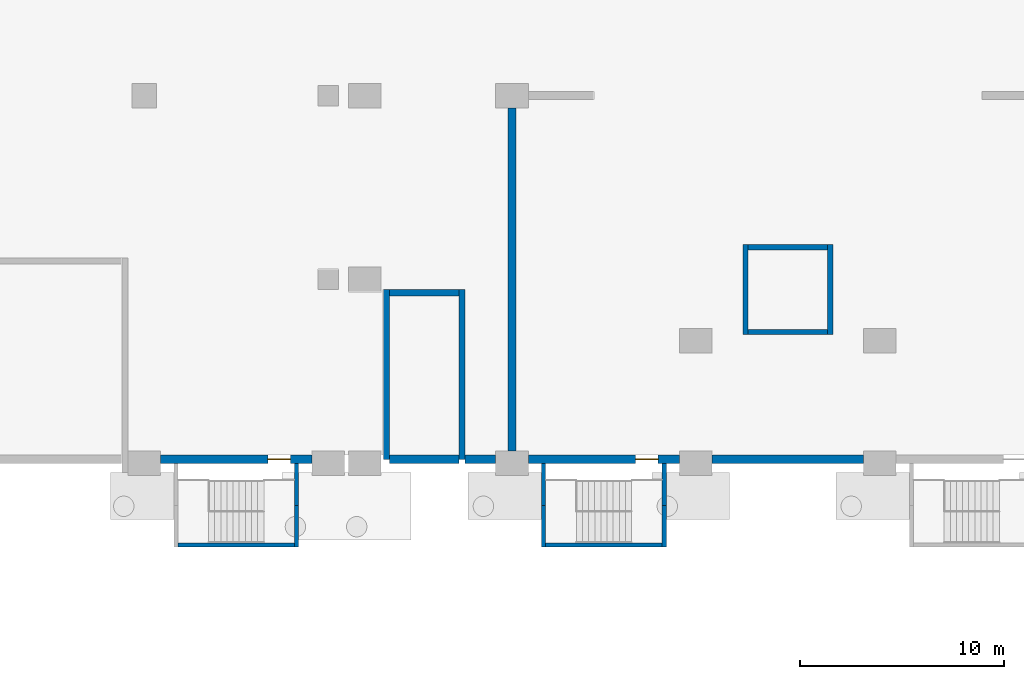
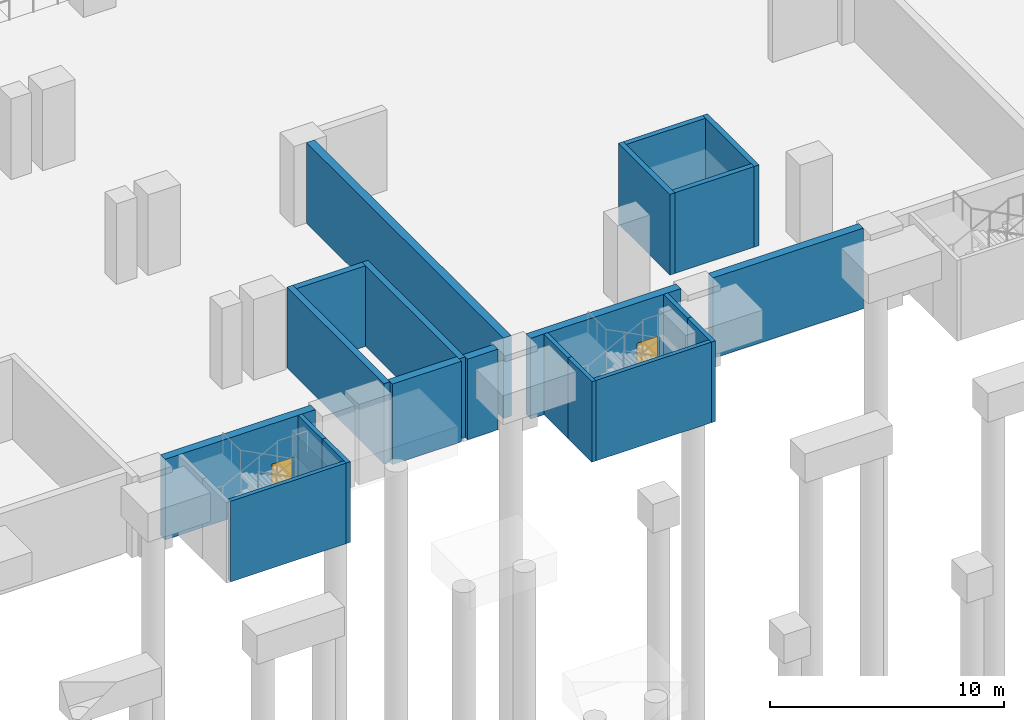
# One storey, part 12 of 27: 21 walls, 2 doors, 2 openings.
"""IFC4 building model written with IfcOpenShell, lengths in metres."""

import ifcopenshell
import ifcopenshell.guid

model = None  # the IFC model being written
_history = None  # IfcOwnerHistory: only IFC2X3 demands one
_inside = {}  # id of a spatial element -> (the spatial element, [elements in it])
_under = {}  # id of a project, library or spatial element -> (it, [spatial elements below it])
_declared = {}  # id of a project -> (the project, [libraries it declares])
_typed = {}  # id of a type object -> (the type object, [elements of that type])
_made_of = {}  # id of a material, layer set ... -> (it, [elements and type objects made of it])


def new_model(schema):
    """Start an empty IFC model of exactly this schema.

    Asked for "IFC4X3", IfcOpenShell would pick the latest addendum, in which some entities
    have other attributes; the version numbers below select the first issue.
    IFC2X3 requires an IfcOwnerHistory on every rooted entity: one is made here for all.
    """
    global model, _history
    if schema == "IFC4X3":
        model = ifcopenshell.file(schema_version=(4, 3, 0, 0))
    else:
        model = ifcopenshell.file(schema=schema)
    _inside.clear()
    _under.clear()
    _declared.clear()
    _typed.clear()
    _made_of.clear()
    _history = None
    if model.schema == "IFC2X3":
        org = make("IfcOrganization", Name="unknown")
        user = make(
            "IfcPersonAndOrganization",
            ThePerson=make("IfcPerson", FamilyName="unknown"),
            TheOrganization=org,
        )
        app = make(
            "IfcApplication",
            ApplicationDeveloper=org,
            Version="unknown",
            ApplicationFullName="unknown",
            ApplicationIdentifier="unknown",
        )
        _history = make(
            "IfcOwnerHistory",
            OwningUser=user,
            OwningApplication=app,
            ChangeAction="ADDED",
            CreationDate=0,
        )
    return model


def make(cls, **values):
    """One entity of the class cls with the attributes given. An attribute that is None is left unset."""
    return model.create_entity(
        cls, **{name: value for name, value in values.items() if value is not None}
    )


def rooted(cls, **values):
    """An entity with a GlobalId (a new one), such as an element, a storey or a relation."""
    return make(cls, GlobalId=ifcopenshell.guid.new(), OwnerHistory=_history, **values)


def si_unit(unit_type, name, prefix=None):
    """IfcSIUnit, for example si_unit("LENGTHUNIT", "METRE", prefix="MILLI")."""
    return make("IfcSIUnit", UnitType=unit_type, Prefix=prefix, Name=name)


def assignment(units):
    """IfcUnitAssignment: the units of a project."""
    return None if units is None else make("IfcUnitAssignment", Units=units)


def point(xyz):
    """IfcCartesianPoint."""
    return None if xyz is None else make("IfcCartesianPoint", Coordinates=xyz)


def direction(xyz):
    """IfcDirection."""
    return None if xyz is None else make("IfcDirection", DirectionRatios=xyz)


def frame(location, z_axis=None, x_axis=None):
    """IfcAxis2Placement3D, a coordinate frame: its origin and axes. An axis left out is left unset."""
    return make(
        "IfcAxis2Placement3D",
        Location=point(location),
        Axis=direction(z_axis),
        RefDirection=direction(x_axis),
    )


def frame_2d(location, x_axis=None):
    """IfcAxis2Placement2D, a coordinate frame in the plane: its origin and x axis."""
    return make(
        "IfcAxis2Placement2D", Location=point(location), RefDirection=direction(x_axis)
    )


def origin():
    """The frame at (0, 0, 0) with its axes left unset."""
    return frame((0.0, 0.0, 0.0))


def place(relative_to, where):
    """IfcLocalPlacement: puts the frame where relative to a parent placement (None: the world)."""
    return make(
        "IfcLocalPlacement", PlacementRelTo=relative_to, RelativePlacement=where
    )


def context(
    kind, dimensions, precision=None, world=None, true_north=None, identifier=None
):
    """IfcGeometricRepresentationContext, for example the 3D "Model" context."""
    return make(
        "IfcGeometricRepresentationContext",
        ContextIdentifier=identifier,
        ContextType=kind,
        CoordinateSpaceDimension=dimensions,
        Precision=precision,
        WorldCoordinateSystem=world,
        TrueNorth=true_north,
    )


def subcontext(parent, identifier, kind, view, scale=None):
    """IfcGeometricRepresentationSubContext, for example "Body" below "Model"."""
    return make(
        "IfcGeometricRepresentationSubContext",
        ContextIdentifier=identifier,
        ContextType=kind,
        ParentContext=parent,
        TargetScale=scale,
        TargetView=view,
    )


def project(units=None, contexts=None):
    """IfcProject with its units and contexts."""
    return rooted(
        "IfcProject",
        Name="project",
        RepresentationContexts=contexts,
        UnitsInContext=assignment(units),
    )


def spatial(cls, under=None, at=None, **own):
    """A site, building, storey or space (cls), placed at a placement, below another one or the project."""
    s = rooted(cls, ObjectPlacement=at, **own)
    if under is not None:
        _under.setdefault(under.id(), (under, []))[1].append(s)
    return s


def profile(cls, at=None, kind="AREA", **sizes):
    """A parametric profile (cls). Its sizes go by their IFC names, for example OverallWidth=200.0."""
    return make(cls, ProfileType=kind, Position=at, **sizes)


def rectangle(**sizes):
    """IfcRectangleProfileDef."""
    return profile("IfcRectangleProfileDef", **sizes)


def extrude(swept, where, along, depth):
    """IfcExtrudedAreaSolid: the profile swept, set in the frame where, extruded along a direction by depth."""
    return make(
        "IfcExtrudedAreaSolid",
        SweptArea=swept,
        Position=where,
        ExtrudedDirection=direction(along),
        Depth=depth,
    )


def shape(context_of_items, identifier, shape_type, items):
    """IfcShapeRepresentation: the items that make up one representation, for example the "Body"."""
    return make(
        "IfcShapeRepresentation",
        ContextOfItems=context_of_items,
        RepresentationIdentifier=identifier,
        RepresentationType=shape_type,
        Items=items,
    )


def material(Name=None, Category=None):
    """IfcMaterial."""
    return make("IfcMaterial", Name=Name, Category=Category)


def layer(
    of_material, thickness, ventilated=None, Name=None, Category=None, Priority=None
):
    """IfcMaterialLayer: one layer of a wall or slab, of a material (None: an air gap)."""
    return make(
        "IfcMaterialLayer",
        Material=of_material,
        LayerThickness=thickness,
        IsVentilated=ventilated,
        Name=Name,
        Category=Category,
        Priority=Priority,
    )


def layer_set(layers, Name=None):
    """IfcMaterialLayerSet."""
    return make("IfcMaterialLayerSet", MaterialLayers=layers, LayerSetName=Name)


def made_of(thing, what):
    """Note that an element or type object is made of a material, layer set ...; save() writes the relation."""
    if what is not None:
        _made_of.setdefault(what.id(), (what, []))[1].append(thing)
    return thing


def type_object(cls, material=None, **own):
    """A type object (cls), such as IfcWallType, which elements share."""
    return made_of(rooted(cls, **own), material)


def element(
    cls,
    number,
    at=None,
    inside=None,
    cuts=None,
    type_object=None,
    material=None,
    context=None,
    identifier="Body",
    shape_type=None,
    held_by="IfcProductDefinitionShape",
    body=None,
    shapes=None,
    **own,
):
    """One element of the class cls, such as IfcWall. Its Tag is "e" and its number.

    at: its placement. inside: the storey or other place that contains it. cuts: it is an
    opening in that element (IfcRelVoidsElement). A single representation is given by context,
    identifier, shape_type and body (its items); several are given by shapes. held_by: the class
    of the entity that holds the representations. save() writes the other relations.
    """
    e = rooted(cls, Tag="e%d" % number, ObjectPlacement=at, **own)
    if body is not None:
        shapes = [shape(context, identifier, shape_type, body)]
    if shapes is not None:
        e.Representation = make(held_by, Representations=shapes)
    if inside is not None:
        _inside.setdefault(inside.id(), (inside, []))[1].append(e)
    if cuts is not None:
        rooted(
            "IfcRelVoidsElement", RelatingBuildingElement=cuts, RelatedOpeningElement=e
        )
    if type_object is not None:
        _typed.setdefault(type_object.id(), (type_object, []))[1].append(e)
    return made_of(e, material)


def fill(opening, filler):
    """IfcRelFillsElement: the door or window that sits in an opening."""
    return rooted(
        "IfcRelFillsElement",
        RelatingOpeningElement=opening,
        RelatedBuildingElement=filler,
    )


def aggregate(whole, parts):
    """IfcRelAggregates: a whole, such as a stair, and the parts it consists of."""
    return rooted("IfcRelAggregates", RelatingObject=whole, RelatedObjects=parts)


def save(model, path):
    """Write the relations noted so far, then the file.

    IfcRelAggregates (storeys below a building ...), IfcRelContainedInSpatialStructure (elements
    in a storey), IfcRelDefinesByType, IfcRelAssociatesMaterial and IfcRelDeclares: one each for
    every whole, place, type object, material and project.
    """
    for whole, parts in _under.values():
        aggregate(whole, parts)
    for where, things in _inside.values():
        rooted(
            "IfcRelContainedInSpatialStructure",
            RelatedElements=things,
            RelatingStructure=where,
        )
    for kind, things in _typed.values():
        rooted("IfcRelDefinesByType", RelatedObjects=things, RelatingType=kind)
    for what, things in _made_of.values():
        rooted("IfcRelAssociatesMaterial", RelatedObjects=things, RelatingMaterial=what)
    for by, libraries in _declared.values():
        rooted("IfcRelDeclares", RelatingContext=by, RelatedDefinitions=libraries)
    model.write(path)


model = new_model("IFC4")

# Units and contexts
model_context = context("Model", 3, precision=1e-05, world=origin(), true_north=direction((0.0, 1.0)))
body_context = subcontext(model_context, "Body", "Model", "MODEL_VIEW")
ifc_project = project(units=[si_unit("LENGTHUNIT", "METRE"), si_unit("AREAUNIT", "SQUARE_METRE"), si_unit("VOLUMEUNIT", "CUBIC_METRE"), si_unit("PLANEANGLEUNIT", "RADIAN"), si_unit("MASSUNIT", "GRAM", prefix="KILO")], contexts=[model_context])

# Site, building, storey
site_placement = place(None, origin())
site = spatial("IfcSite", under=ifc_project, at=site_placement, CompositionType="ELEMENT")
building_placement = place(site_placement, origin())
building = spatial("IfcBuilding", under=site, at=building_placement, Name="Aravalli Gate Trade Fair Centre", CompositionType="ELEMENT")
storey_placement = place(building_placement, frame((0.0, 0.0, -4.199951171875)))
storey = spatial("IfcBuildingStorey", under=building, at=storey_placement, Name="B1", CompositionType="ELEMENT", Elevation=-4.199951171875)

# Wall, opening, door
ifc_material_1 = material(Name="Concrete M40", Category="concrete")
ifc_layer_1 = layer(ifc_material_1, 0.39990234375)
ifc_layer_set_1 = layer_set([ifc_layer_1], Name="Concrete M40")
wall_type_1 = type_object("IfcWallType", Name="Basement retaining wall 400", PredefinedType="SOLIDWALL", material=ifc_layer_set_1)
wall_1_placement = place(storey_placement, frame((96.800048828125, 46.199951171875, 0.0), z_axis=(0.0, 0.0, 1.0), x_axis=(1.0, 0.0, 0.0)))
wall_1 = element("IfcWall", 1, at=wall_1_placement, inside=storey, type_object=wall_type_1, Name="Retaining wall S11 B1", PredefinedType="SOLIDWALL", context=body_context, shape_type="SweptSolid", body=[
    extrude(rectangle(XDim=7.39990234375, YDim=0.39990234375, at=frame_2d((3.699951171875, 0.0))), origin(), (0.0, 0.0, 1.0), 4.199951171875),
])
opening_1_placement = place(wall_1_placement, frame((5.25, 0.0, 0.0)))
opening_1 = element("IfcOpeningElement", 2, at=opening_1_placement, cuts=wall_1, Name="Opening B-B1-12", PredefinedType="OPENING", context=body_context, shape_type="SweptSolid", body=[
    extrude(rectangle(XDim=1.10009765625, YDim=2.10009765625, at=frame_2d((0.550048828125, 1.050048828125))), frame((0.0, 0.2099609375, 0.0), z_axis=(0.0, -1.0, 0.0), x_axis=(1.0, 0.0, 0.0)), (0.0, 0.0, 1.0), 0.419921875),
])
ifc_material_2 = material(Name="Steel", Category="steel")
door_type = type_object("IfcDoorType", Name="Basement stair door 1100x2100", OperationType="SINGLE_SWING_LEFT", PredefinedType="DOOR", material=ifc_material_2)
door_1_placement = place(opening_1_placement, frame((1.10009765625, 0.0, 0.0), z_axis=(0.0, 0.0, 1.0), x_axis=(-1.0, 0.0, 0.0)))
door_1 = element("IfcDoor", 3, at=door_1_placement, inside=storey, type_object=door_type, Name="Basement stair S5 door B1", OperationType="SINGLE_SWING_LEFT", OverallHeight=2.10009765625, OverallWidth=1.10009765625, PredefinedType="DOOR", context=body_context, shape_type="SweptSolid", body=[
    extrude(rectangle(XDim=1.10009765625, YDim=2.10009765625, at=frame_2d((0.550048828125, 1.050048828125))), frame((0.0, 0.02490234375, 0.0), z_axis=(0.0, -1.0, 0.0), x_axis=(1.0, 0.0, 0.0)), (0.0, 0.0, 1.0), 0.050048828125),
])
fill(opening_1, door_1)

# Walls
wall_2_placement = place(storey_placement, frame((108.0, 46.199951171875, 0.0), z_axis=(0.0, 0.0, 1.0), x_axis=(1.0, 0.0, 0.0)))
element("IfcWall", 4, at=wall_2_placement, inside=storey, type_object=wall_type_1, Name="Retaining wall S12 B1", PredefinedType="SOLIDWALL", context=body_context, shape_type="SweptSolid", body=[
    extrude(rectangle(XDim=3.39990234375, YDim=0.39990234375, at=frame_2d((1.699951171875, 0.0))), origin(), (0.0, 0.0, 1.0), 4.199951171875),
])
wall_3_placement = place(storey_placement, frame((111.699951171875, 46.199951171875, 0.0), z_axis=(0.0, 0.0, 1.0), x_axis=(1.0, 0.0, 0.0)))
element("IfcWall", 5, at=wall_3_placement, inside=storey, type_object=wall_type_1, Name="Retaining wall S13 B1", PredefinedType="SOLIDWALL", context=body_context, shape_type="SweptSolid", body=[
    extrude(rectangle(XDim=1.5, YDim=0.39990234375, at=frame_2d((0.75, 0.0))), origin(), (0.0, 0.0, 1.0), 4.199951171875),
])

# Wall, opening, door
wall_4_placement = place(storey_placement, frame((114.800048828125, 46.199951171875, 0.0), z_axis=(0.0, 0.0, 1.0), x_axis=(1.0, 0.0, 0.0)))
wall_4 = element("IfcWall", 6, at=wall_4_placement, inside=storey, type_object=wall_type_1, Name="Retaining wall S14 B1", PredefinedType="SOLIDWALL", context=body_context, shape_type="SweptSolid", body=[
    extrude(rectangle(XDim=7.39990234375, YDim=0.39990234375, at=frame_2d((3.699951171875, 0.0))), origin(), (0.0, 0.0, 1.0), 4.199951171875),
])
opening_2_placement = place(wall_4_placement, frame((5.25, 0.0, 0.0)))
opening_2 = element("IfcOpeningElement", 7, at=opening_2_placement, cuts=wall_4, Name="Opening B-B1-13", PredefinedType="OPENING", context=body_context, shape_type="SweptSolid", body=[
    extrude(rectangle(XDim=1.10009765625, YDim=2.10009765625, at=frame_2d((0.550048828125, 1.050048828125))), frame((0.0, 0.2099609375, 0.0), z_axis=(0.0, -1.0, 0.0), x_axis=(1.0, 0.0, 0.0)), (0.0, 0.0, 1.0), 0.419921875),
])
door_2_placement = place(opening_2_placement, frame((1.10009765625, 0.0, 0.0), z_axis=(0.0, 0.0, 1.0), x_axis=(-1.0, 0.0, 0.0)))
door_2 = element("IfcDoor", 8, at=door_2_placement, inside=storey, type_object=door_type, Name="Basement stair S6 door B1", OperationType="SINGLE_SWING_LEFT", OverallHeight=2.10009765625, OverallWidth=1.10009765625, PredefinedType="DOOR", context=body_context, shape_type="SweptSolid", body=[
    extrude(rectangle(XDim=1.10009765625, YDim=2.10009765625, at=frame_2d((0.550048828125, 1.050048828125))), frame((0.0, 0.02490234375, 0.0), z_axis=(0.0, -1.0, 0.0), x_axis=(1.0, 0.0, 0.0)), (0.0, 0.0, 1.0), 0.050048828125),
])
fill(opening_2, door_2)

# Walls
wall_5_placement = place(storey_placement, frame((123.800048828125, 46.199951171875, 0.0), z_axis=(0.0, 0.0, 1.0), x_axis=(1.0, 0.0, 0.0)))
element("IfcWall", 9, at=wall_5_placement, inside=storey, type_object=wall_type_1, Name="Retaining wall S15 B1", PredefinedType="SOLIDWALL", context=body_context, shape_type="SweptSolid", body=[
    extrude(rectangle(XDim=7.39990234375, YDim=0.39990234375, at=frame_2d((3.699951171875, 0.0))), origin(), (0.0, 0.0, 1.0), 4.199951171875),
])
ifc_material_3 = material(Name="Concrete M35", Category="concrete")
ifc_layer_2 = layer(ifc_material_3, 0.199951171875)
ifc_layer_set_2 = layer_set([ifc_layer_2], Name="Concrete M35")
wall_type_2 = type_object("IfcWallType", Name="Basement stair enclosure wall 200", PredefinedType="SOLIDWALL", material=ifc_layer_set_2)
for number, where, z_axis, x_axis, name in (
    (10, (103.449951171875, 46.0, 0.0), (0.0, 0.0, 1.0), (0.0, -1.0, 0.0), "Basement stair S5 enclosure wall R1 B1"),
    (11, (103.449951171875, 43.949951171875, 0.0), (0.0, 0.0, 1.0), (0.0, -1.0, 0.0), "Basement stair S5 enclosure wall R2 B1"),
):
    element("IfcWall", number, at=place(storey_placement, frame(where, z_axis=z_axis, x_axis=x_axis)), inside=storey, type_object=wall_type_2, Name=name, PredefinedType="SOLIDWALL", context=body_context, shape_type="SweptSolid", body=[
        extrude(rectangle(XDim=2.050048828125, YDim=0.199951171875, at=frame_2d((1.02490234375, 0.0))), origin(), (0.0, 0.0, 1.0), 4.199951171875),
    ])
wall_6_placement = place(storey_placement, frame((97.64990234375, 42.0, 0.0), z_axis=(0.0, 0.0, 1.0), x_axis=(1.0, 0.0, 0.0)))
element("IfcWall", 12, at=wall_6_placement, inside=storey, type_object=wall_type_2, Name="Basement stair S5 enclosure wall O B1", PredefinedType="SOLIDWALL", context=body_context, shape_type="SweptSolid", body=[
    extrude(rectangle(XDim=5.7001953125, YDim=0.199951171875, at=frame_2d((2.85009765625, 0.0))), origin(), (0.0, 0.0, 1.0), 4.199951171875),
])
for number, where, z_axis, x_axis, name in (
    (13, (115.550048828125, 46.0, 0.0), (0.0, 0.0, 1.0), (0.0, -1.0, 0.0), "Basement stair S6 enclosure wall L1 B1"),
    (14, (115.550048828125, 43.949951171875, 0.0), (0.0, 0.0, 1.0), (0.0, -1.0, 0.0), "Basement stair S6 enclosure wall L2 B1"),
    (15, (121.449951171875, 46.0, 0.0), (0.0, 0.0, 1.0), (0.0, -1.0, 0.0), "Basement stair S6 enclosure wall R1 B1"),
    (16, (121.449951171875, 43.949951171875, 0.0), (0.0, 0.0, 1.0), (0.0, -1.0, 0.0), "Basement stair S6 enclosure wall R2 B1"),
):
    element("IfcWall", number, at=place(storey_placement, frame(where, z_axis=z_axis, x_axis=x_axis)), inside=storey, type_object=wall_type_2, Name=name, PredefinedType="SOLIDWALL", context=body_context, shape_type="SweptSolid", body=[
        extrude(rectangle(XDim=2.050048828125, YDim=0.199951171875, at=frame_2d((1.02490234375, 0.0))), origin(), (0.0, 0.0, 1.0), 4.199951171875),
    ])
wall_7_placement = place(storey_placement, frame((115.64990234375, 42.0, 0.0), z_axis=(0.0, 0.0, 1.0), x_axis=(1.0, 0.0, 0.0)))
element("IfcWall", 17, at=wall_7_placement, inside=storey, type_object=wall_type_2, Name="Basement stair S6 enclosure wall O B1", PredefinedType="SOLIDWALL", context=body_context, shape_type="SweptSolid", body=[
    extrude(rectangle(XDim=5.7001953125, YDim=0.199951171875, at=frame_2d((2.85009765625, 0.0))), origin(), (0.0, 0.0, 1.0), 4.199951171875),
])
ifc_layer_3 = layer(ifc_material_1, 0.25)
ifc_layer_set_3 = layer_set([ifc_layer_3], Name="Concrete M40")
wall_type_3 = type_object("IfcWallType", Name="Congress RC wall 250 shaft", PredefinedType="SHEAR", material=ifc_layer_set_3)
for number, where, z_axis, x_axis, name in (
    (18, (125.425048828125, 52.300048828125, 0.0), (0.0, 0.0, 1.0), (0.0, 1.0, 0.0), "Goods lift shaft wall W B1"),
    (19, (129.574951171875, 52.300048828125, 0.0), (0.0, 0.0, 1.0), (0.0, 1.0, 0.0), "Goods lift shaft wall E B1"),
):
    element("IfcWall", number, at=place(storey_placement, frame(where, z_axis=z_axis, x_axis=x_axis)), inside=storey, type_object=wall_type_3, Name=name, PredefinedType="SHEAR", context=body_context, shape_type="SweptSolid", body=[
        extrude(rectangle(XDim=4.39990234375, YDim=0.25, at=frame_2d((2.199951171875, 0.0))), origin(), (0.0, 0.0, 1.0), 4.199951171875),
    ])
for number, where, z_axis, x_axis, name in (
    (20, (125.550048828125, 52.425048828125, 0.0), (0.0, 0.0, 1.0), (1.0, 0.0, 0.0), "Goods lift shaft wall F B1"),
    (21, (125.550048828125, 56.574951171875, 0.0), (0.0, 0.0, 1.0), (1.0, 0.0, 0.0), "Goods lift shaft wall N B1"),
):
    element("IfcWall", number, at=place(storey_placement, frame(where, z_axis=z_axis, x_axis=x_axis)), inside=storey, type_object=wall_type_3, Name=name, PredefinedType="SHEAR", context=body_context, shape_type="SweptSolid", body=[
        extrude(rectangle(XDim=3.89990234375, YDim=0.25, at=frame_2d((1.949951171875, 0.0))), origin(), (0.0, 0.0, 1.0), 4.199951171875),
    ])
ifc_layer_4 = layer(ifc_material_1, 0.300048828125)
ifc_layer_set_4 = layer_set([ifc_layer_4], Name="Concrete M40")
wall_type_4 = type_object("IfcWallType", Name="Congress RC wall 300", PredefinedType="SHEAR", material=ifc_layer_set_4)
for number, where, z_axis, x_axis, name in (
    (22, (107.85009765625, 46.199951171875, 0.0), (0.0, 0.0, 1.0), (0.0, 1.0, 0.0), "Stage Stair West wall W B1"),
    (23, (111.550048828125, 46.199951171875, 0.0), (0.0, 0.0, 1.0), (0.0, 1.0, 0.0), "Stage Stair West wall E B1"),
):
    element("IfcWall", number, at=place(storey_placement, frame(where, z_axis=z_axis, x_axis=x_axis)), inside=storey, type_object=wall_type_4, Name=name, PredefinedType="SHEAR", context=body_context, shape_type="SweptSolid", body=[
        extrude(rectangle(XDim=8.300048828125, YDim=0.300048828125, at=frame_2d((4.14990234375, 0.0))), origin(), (0.0, 0.0, 1.0), 4.199951171875),
    ])
wall_8_placement = place(storey_placement, frame((108.0, 54.35009765625, 0.0), z_axis=(0.0, 0.0, 1.0), x_axis=(1.0, 0.0, 0.0)))
element("IfcWall", 24, at=wall_8_placement, inside=storey, type_object=wall_type_4, Name="Stage Stair West wall N B1", PredefinedType="SHEAR", context=body_context, shape_type="SweptSolid", body=[
    extrude(rectangle(XDim=3.39990234375, YDim=0.300048828125, at=frame_2d((1.699951171875, 0.0))), origin(), (0.0, 0.0, 1.0), 4.199951171875),
])
ifc_layer_5 = layer(ifc_material_1, 0.39990234375)
ifc_layer_set_5 = layer_set([ifc_layer_5], Name="Concrete M40")
wall_type_5 = type_object("IfcWallType", Name="Congress RC wall 400", PredefinedType="SHEAR", material=ifc_layer_set_5)
wall_9_placement = place(storey_placement, frame((114.0, 46.60009765625, 0.0), z_axis=(0.0, 0.0, 1.0), x_axis=(0.0, 1.0, 0.0)))
element("IfcWall", 25, at=wall_9_placement, inside=storey, type_object=wall_type_5, Name="Stage house wall line 114 B1", PredefinedType="SHEAR", context=body_context, shape_type="SweptSolid", body=[
    extrude(rectangle(XDim=16.7998046875, YDim=0.39990234375, at=frame_2d((8.39990234375, 0.0))), origin(), (0.0, 0.0, 1.0), 4.199951171875),
])

save(model, "model.ifc")
